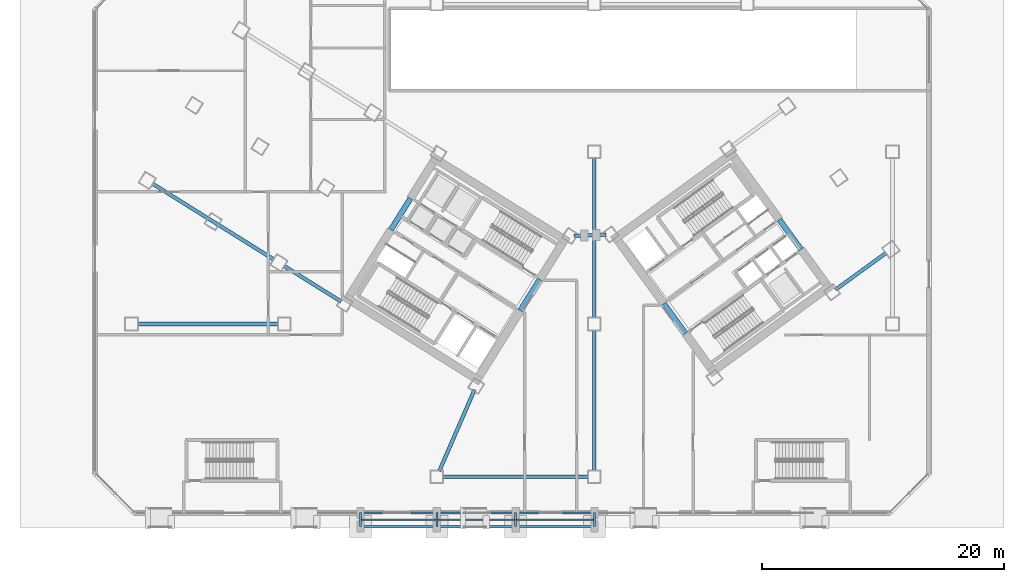
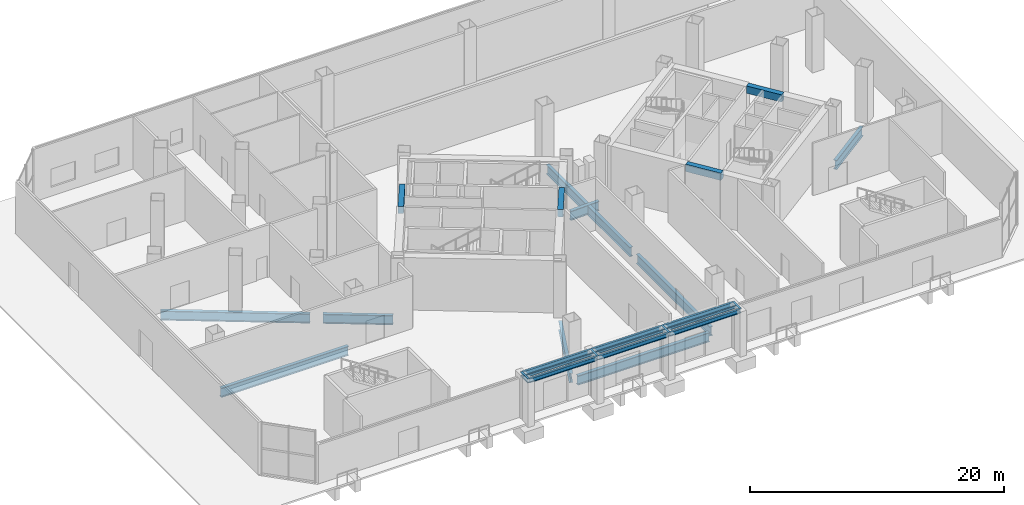
# One storey, part 3 of 22: 23 beams, 3 members.
"""IFC4 building model written with IfcOpenShell, lengths in metres."""

from ifc_helpers import new_model, si_unit, direction, frame, origin, origin_2d, place, context, subcontext, project, spatial, rectangle, i_section, extrude, source, transform, mapped, material, material_profile, profile_set, type_object, element, save


model = new_model("IFC4")

# Units and contexts
model_context = context("Model", 3, precision=1e-05, world=origin(), true_north=direction((0.0, 1.0)))
body_context = subcontext(model_context, "Body", "Model", "MODEL_VIEW")
ifc_project = project(units=[si_unit("LENGTHUNIT", "METRE"), si_unit("AREAUNIT", "SQUARE_METRE"), si_unit("VOLUMEUNIT", "CUBIC_METRE"), si_unit("PLANEANGLEUNIT", "RADIAN"), si_unit("MASSUNIT", "GRAM", prefix="KILO")], contexts=[model_context])

# Site, building, storey
site_placement = place(None, origin())
site = spatial("IfcSite", under=ifc_project, at=site_placement, CompositionType="ELEMENT")
building_placement = place(site_placement, origin())
building = spatial("IfcBuilding", under=site, at=building_placement, Name="Tlacorven Tower", CompositionType="ELEMENT")
storey_placement = place(building_placement, origin())
storey = spatial("IfcBuildingStorey", under=building, at=storey_placement, Name="L00", CompositionType="ELEMENT", Elevation=0.0)

# Beams
ifc_material_1 = material(Name="Concrete C60/75", Category="concrete")
ifc_material_profile_1 = material_profile(ifc_material_1, rectangle(XDim=0.449951171875, YDim=0.699951171875, at=origin_2d()), Name="RC 450X700")
ifc_profile_set_1 = profile_set([ifc_material_profile_1], Name="Concrete C60/75")
beam_type_1 = type_object("IfcBeamType", Name="BM-LNT-700", PredefinedType="LINTEL", material=ifc_profile_set_1)
shared_shape_1 = source(origin(), body_context, "Body", "SweptSolid", [
    extrude(rectangle(XDim=0.449951171875, YDim=0.699951171875, at=origin_2d()), origin(), (0.0, 0.0, 1.0), 3.050048828125),
])
for number, where, z_axis, x_axis, name in (
    (1, (38.2998046875, 20.890625, 4.699951171875), (-0.529984549635, -0.848007297815, 0.0), (0.848007297815, -0.529984549635, 0.0), "L00 W core coupling lintel beam E1"),
    (2, (50.318359375, 16.416015625, 4.699951171875), (-0.587776590479, 0.80902328748, 0.0), (-0.80902328748, -0.587776590479, 0.0), "L00 E core coupling lintel beam E1"),
    (3, (59.856689453125, 23.345947265625, 4.699951171875), (-0.587776590479, 0.80902328748, 0.0), (-0.80902328748, -0.587776590479, 0.0), "L00 E core coupling lintel beam E2"),
):
    element("IfcBeam", number, at=place(storey_placement, frame(where, z_axis=z_axis, x_axis=x_axis)), inside=storey, type_object=beam_type_1, Name=name, PredefinedType="LINTEL", context=body_context, shape_type="MappedRepresentation", body=[
        mapped(shared_shape_1, transform((0.0, 0.0, 0.0), scale=1.0)),
    ])
shared_shape_2 = source(origin(), body_context, "Body", "SweptSolid", [
    extrude(rectangle(XDim=0.449951171875, YDim=0.699951171875, at=origin_2d()), origin(), (0.0, 0.0, 1.0), 3.0498046875),
])
beam_1_placement = place(storey_placement, frame((27.622802734375, 27.562255859375, 4.699951171875), z_axis=(-0.529926983584, -0.848043272522, 0.0), x_axis=(0.848043272522, -0.529926983584, 0.0)))
element("IfcBeam", 4, at=beam_1_placement, inside=storey, type_object=beam_type_1, Name="L00 W core coupling lintel beam E2", PredefinedType="LINTEL", context=body_context, shape_type="MappedRepresentation", body=[
    mapped(shared_shape_2, transform((0.0, 0.0, 0.0), scale=1.0)),
])
ifc_material_2 = material(Name="Steel S460M", Category="steel")
ifc_material_profile_2 = material_profile(ifc_material_2, i_section(OverallWidth=0.300048828125, OverallDepth=0.89990234375, WebThickness=0.0185546875, FlangeThickness=0.034912109375, at=origin_2d()), Name="HEB 900")
ifc_profile_set_2 = profile_set([ifc_material_profile_2], Name="Steel S460M")
beam_type_2 = type_object("IfcBeamType", Name="BM-POD-900", PredefinedType="BEAM", material=ifc_profile_set_2)
shared_shape_3 = source(origin(), body_context, "Body", "SweptSolid", [
    extrude(i_section(OverallWidth=0.300048828125, OverallDepth=0.89990234375, WebThickness=0.0185546875, FlangeThickness=0.034912109375, at=origin_2d()), origin(), (0.0, 0.0, 1.0), 12.0),
])
beam_2_placement = place(storey_placement, frame((30.300048828125, 4.60009765625, -0.800048828125), z_axis=(1.0, 0.0, 0.0), x_axis=(0.0, 1.0, 0.0)))
element("IfcBeam", 5, at=beam_2_placement, inside=storey, type_object=beam_type_2, Name="L00 beam BM-L00-GX1-1", PredefinedType="BEAM", context=body_context, shape_type="MappedRepresentation", body=[
    mapped(shared_shape_3, transform((0.0, 0.0, 0.0), scale=1.0)),
])
shared_shape_4 = source(origin(), body_context, "Body", "SweptSolid", [
    extrude(i_section(OverallWidth=0.300048828125, OverallDepth=0.89990234375, WebThickness=0.0185546875, FlangeThickness=0.034912109375, at=origin_2d()), origin(), (0.0, 0.0, 1.0), 11.599853515625),
])
for number, where, z_axis, x_axis, name in (
    (6, (5.10009765625, 17.199951171875, -0.800048828125), (1.0, 0.0, 0.0), (0.0, 1.0, 0.0), "L00 beam BM-L00-GX2-1"),
    (7, (42.800048828125, 5.10009765625, -0.800048828125), (0.0, 1.0, 0.0), (-1.0, 0.0, 0.0), "L00 beam BM-L00-GY4-1"),
):
    element("IfcBeam", number, at=place(storey_placement, frame(where, z_axis=z_axis, x_axis=x_axis)), inside=storey, type_object=beam_type_2, Name=name, PredefinedType="BEAM", context=body_context, shape_type="MappedRepresentation", body=[
        mapped(shared_shape_4, transform((0.0, 0.0, 0.0), scale=1.0)),
    ])
shared_shape_5 = source(origin(), body_context, "Body", "SweptSolid", [
    extrude(i_section(OverallWidth=0.300048828125, OverallDepth=0.89990234375, WebThickness=0.0185546875, FlangeThickness=0.034912109375, at=origin_2d()), origin(), (0.0, 0.0, 1.0), 13.199951171875),
])
beam_3_placement = place(storey_placement, frame((42.800048828125, 17.699951171875, -0.800048828125), z_axis=(0.0, 1.0, 0.0), x_axis=(-1.0, 0.0, 0.0)))
element("IfcBeam", 8, at=beam_3_placement, inside=storey, type_object=beam_type_2, Name="L00 beam BM-L00-GY4-2", PredefinedType="BEAM", context=body_context, shape_type="MappedRepresentation", body=[
    mapped(shared_shape_5, transform((0.0, 0.0, 0.0), scale=1.0)),
])
shared_shape_6 = source(origin(), body_context, "Body", "SweptSolid", [
    extrude(i_section(OverallWidth=0.300048828125, OverallDepth=0.89990234375, WebThickness=0.0185546875, FlangeThickness=0.034912109375, at=origin_2d()), origin(), (0.0, 0.0, 1.0), 11.800048828125),
])
beam_4_placement = place(storey_placement, frame((16.339599609375, 22.5263671875, -0.800048828125), z_axis=(-0.848055254246, 0.529907808723, 0.0), x_axis=(-0.529907808723, -0.848055254246, 0.0)))
element("IfcBeam", 9, at=beam_4_placement, inside=storey, type_object=beam_type_2, Name="L00 beam BM-L00-WTG3-2", PredefinedType="BEAM", context=body_context, shape_type="MappedRepresentation", body=[
    mapped(shared_shape_6, transform((0.0, 0.0, 0.0), scale=1.0)),
])
shared_shape_7 = source(origin(), body_context, "Body", "SweptSolid", [
    extrude(i_section(OverallWidth=0.300048828125, OverallDepth=0.89990234375, WebThickness=0.0185546875, FlangeThickness=0.034912109375, at=origin_2d()), origin(), (0.0, 0.0, 1.0), 5.150146484375),
])
beam_5_placement = place(storey_placement, frame((62.69677734375, 20.032470703125, -0.800048828125), z_axis=(0.809020934422, 0.587779829245, 0.0), x_axis=(-0.587779829245, 0.809020934422, 0.0)))
element("IfcBeam", 10, at=beam_5_placement, inside=storey, type_object=beam_type_2, Name="L00 beam BM-L00-ETG2-1", PredefinedType="BEAM", context=body_context, shape_type="MappedRepresentation", body=[
    mapped(shared_shape_7, transform((0.0, 0.0, 0.0), scale=1.0)),
])
shared_shape_8 = source(origin(), body_context, "Body", "SweptSolid", [
    extrude(i_section(OverallWidth=0.300048828125, OverallDepth=0.89990234375, WebThickness=0.0185546875, FlangeThickness=0.034912109375, at=origin_2d()), origin(), (0.0, 0.0, 1.0), 5.5498046875),
])
beam_6_placement = place(storey_placement, frame((21.894287109375, 19.055419921875, -0.800048828125), z_axis=(-0.848052670068, 0.529911944374, 0.0), x_axis=(-0.529911944374, -0.848052670068, 0.0)))
element("IfcBeam", 11, at=beam_6_placement, inside=storey, type_object=beam_type_2, Name="L00 beam BM-L00-WTG2-2", PredefinedType="BEAM", context=body_context, shape_type="MappedRepresentation", body=[
    mapped(shared_shape_8, transform((0.0, 0.0, 0.0), scale=1.0)),
])
shared_shape_9 = source(origin(), body_context, "Body", "SweptSolid", [
    extrude(i_section(OverallWidth=0.300048828125, OverallDepth=0.89990234375, WebThickness=0.0185546875, FlangeThickness=0.034912109375, at=origin_2d()), origin(), (0.0, 0.0, 1.0), 2.642822265625),
])
beam_7_placement = place(storey_placement, frame((41.1328125, 24.480712890625, -0.800048828125), z_axis=(0.999393314814, 0.034828182629, 0.0), x_axis=(-0.034828182629, 0.999393314814, 0.0)))
element("IfcBeam", 12, at=beam_7_placement, inside=storey, type_object=beam_type_2, Name="L00 beam BM-L00-PKNK1", PredefinedType="BEAM", context=body_context, shape_type="MappedRepresentation", body=[
    mapped(shared_shape_9, transform((0.0, 0.0, 0.0), scale=1.0)),
])
shared_shape_10 = source(origin(), body_context, "Body", "SweptSolid", [
    extrude(i_section(OverallWidth=0.300048828125, OverallDepth=0.89990234375, WebThickness=0.0185546875, FlangeThickness=0.034912109375, at=origin_2d()), origin(), (0.0, 0.0, 1.0), 7.310302734375),
])
beam_8_placement = place(storey_placement, frame((32.906982421875, 11.765869140625, -0.800048828125), z_axis=(-0.397817365016, -0.917464628251, 0.0), x_axis=(0.917464628251, -0.397817365016, 0.0)))
element("IfcBeam", 13, at=beam_8_placement, inside=storey, type_object=beam_type_2, Name="L00 beam BM-L00-PKNK2", PredefinedType="BEAM", context=body_context, shape_type="MappedRepresentation", body=[
    mapped(shared_shape_10, transform((0.0, 0.0, 0.0), scale=1.0)),
])
ifc_material_3 = material(Name="Steel S355J2", Category="steel")
ifc_material_profile_3 = material_profile(ifc_material_3, i_section(OverallWidth=0.179931640625, OverallDepth=0.39990234375, WebThickness=0.008544921875, FlangeThickness=0.013427734375, at=origin_2d()), Name="IPE 400")
ifc_profile_set_3 = profile_set([ifc_material_profile_3], Name="Steel S355J2")
beam_type_3 = type_object("IfcBeamType", Name="BM-CRN-400", PredefinedType="BEAM", material=ifc_profile_set_3)
shared_shape_11 = source(origin(), body_context, "Body", "SweptSolid", [
    extrude(i_section(OverallWidth=0.179931640625, OverallDepth=0.39990234375, WebThickness=0.008544921875, FlangeThickness=0.013427734375, at=origin_2d()), origin(), (0.0, 0.0, 1.0), 1.159912109375),
])
for number, where, z_axis, x_axis, name in (
    (14, (23.5, 0.469970703125, 3.97998046875), (0.0, 1.0, 0.0), (-1.0, 0.0, 0.0), "L00 Station Canopy Transverse Tie Beam 1"),
    (15, (29.800048828125, 0.469970703125, 3.97998046875), (0.0, 1.0, 0.0), (-1.0, 0.0, 0.0), "L00 Station Canopy Transverse Tie Beam 2"),
    (16, (36.300048828125, 0.469970703125, 3.97998046875), (0.0, 1.0, 0.0), (-1.0, 0.0, 0.0), "L00 Station Canopy Transverse Tie Beam 3"),
    (17, (42.800048828125, 0.469970703125, 3.97998046875), (0.0, 1.0, 0.0), (-1.0, 0.0, 0.0), "L00 Station Canopy Transverse Tie Beam 4"),
):
    element("IfcBeam", number, at=place(storey_placement, frame(where, z_axis=z_axis, x_axis=x_axis)), inside=storey, type_object=beam_type_3, Name=name, PredefinedType="BEAM", context=body_context, shape_type="MappedRepresentation", body=[
        mapped(shared_shape_11, transform((0.0, 0.0, 0.0), scale=1.0)),
    ])
shared_shape_12 = source(origin(), body_context, "Body", "SweptSolid", [
    extrude(i_section(OverallWidth=0.179931640625, OverallDepth=0.39990234375, WebThickness=0.008544921875, FlangeThickness=0.013427734375, at=origin_2d()), origin(), (0.0, 0.0, 1.0), 6.179931640625),
])
for number, where, z_axis, x_axis, name in (
    (18, (23.56005859375, 0.5, 3.97998046875), (1.0, 0.0, 0.0), (0.0, 1.0, 0.0), "L00 Station Canopy Front Longitudinal Beam 1"),
    (19, (23.56005859375, 1.60009765625, 3.97998046875), (1.0, 0.0, 0.0), (0.0, 1.0, 0.0), "L00 Station Canopy Rear Longitudinal Beam 1"),
):
    element("IfcBeam", number, at=place(storey_placement, frame(where, z_axis=z_axis, x_axis=x_axis)), inside=storey, type_object=beam_type_3, Name=name, PredefinedType="BEAM", context=body_context, shape_type="MappedRepresentation", body=[
        mapped(shared_shape_12, transform((0.0, 0.0, 0.0), scale=1.0)),
    ])

# Member
ifc_material_profile_4 = material_profile(ifc_material_3, i_section(OverallWidth=0.1201171875, OverallDepth=0.239990234375, WebThickness=0.006103515625, FlangeThickness=0.009765625, at=origin_2d()), Name="IPE 240")
ifc_profile_set_4 = profile_set([ifc_material_profile_4], Name="Steel S355J2")
member_type = type_object("IfcMemberType", Name="MB-CAN-PRL", PredefinedType="PURLIN", material=ifc_profile_set_4)
shared_shape_13 = source(origin(), body_context, "Body", "SweptSolid", [
    extrude(i_section(OverallWidth=0.1201171875, OverallDepth=0.239990234375, WebThickness=0.006103515625, FlangeThickness=0.009765625, at=origin_2d()), origin(), (0.0, 0.0, 1.0), 6.219970703125),
])
member_placement = place(storey_placement, frame((23.5400390625, 1.050048828125, 4.054931640625), z_axis=(1.0, 0.0, 0.0), x_axis=(0.0, 1.0, 0.0)))
element("IfcMember", 20, at=member_placement, inside=storey, type_object=member_type, Name="L00 Station Canopy Purlin 1.1", PredefinedType="PURLIN", context=body_context, shape_type="MappedRepresentation", body=[
    mapped(shared_shape_13, transform((0.0, 0.0, 0.0), scale=1.0)),
])

# Beams
shared_shape_14 = source(origin(), body_context, "Body", "SweptSolid", [
    extrude(i_section(OverallWidth=0.179931640625, OverallDepth=0.39990234375, WebThickness=0.008544921875, FlangeThickness=0.013427734375, at=origin_2d()), origin(), (0.0, 0.0, 1.0), 6.3798828125),
])
for number, where, z_axis, x_axis, name in (
    (21, (29.860107421875, 0.5, 3.97998046875), (1.0, 0.0, 0.0), (0.0, 1.0, 0.0), "L00 Station Canopy Front Longitudinal Beam 2"),
    (22, (29.860107421875, 1.60009765625, 3.97998046875), (1.0, 0.0, 0.0), (0.0, 1.0, 0.0), "L00 Station Canopy Rear Longitudinal Beam 2"),
    (23, (36.360107421875, 0.5, 3.97998046875), (1.0, 0.0, 0.0), (0.0, 1.0, 0.0), "L00 Station Canopy Front Longitudinal Beam 3"),
    (24, (36.360107421875, 1.60009765625, 3.97998046875), (1.0, 0.0, 0.0), (0.0, 1.0, 0.0), "L00 Station Canopy Rear Longitudinal Beam 3"),
):
    element("IfcBeam", number, at=place(storey_placement, frame(where, z_axis=z_axis, x_axis=x_axis)), inside=storey, type_object=beam_type_3, Name=name, PredefinedType="BEAM", context=body_context, shape_type="MappedRepresentation", body=[
        mapped(shared_shape_14, transform((0.0, 0.0, 0.0), scale=1.0)),
    ])

# Members
shared_shape_15 = source(origin(), body_context, "Body", "SweptSolid", [
    extrude(i_section(OverallWidth=0.1201171875, OverallDepth=0.239990234375, WebThickness=0.006103515625, FlangeThickness=0.009765625, at=origin_2d()), origin(), (0.0, 0.0, 1.0), 6.419921875),
])
for number, where, z_axis, x_axis, name in (
    (25, (29.840087890625, 1.050048828125, 4.054931640625), (1.0, 0.0, 0.0), (0.0, 1.0, 0.0), "L00 Station Canopy Purlin 1.2"),
    (26, (36.340087890625, 1.050048828125, 4.054931640625), (1.0, 0.0, 0.0), (0.0, 1.0, 0.0), "L00 Station Canopy Purlin 1.3"),
):
    element("IfcMember", number, at=place(storey_placement, frame(where, z_axis=z_axis, x_axis=x_axis)), inside=storey, type_object=member_type, Name=name, PredefinedType="PURLIN", context=body_context, shape_type="MappedRepresentation", body=[
        mapped(shared_shape_15, transform((0.0, 0.0, 0.0), scale=1.0)),
    ])

save(model, "model.ifc")
